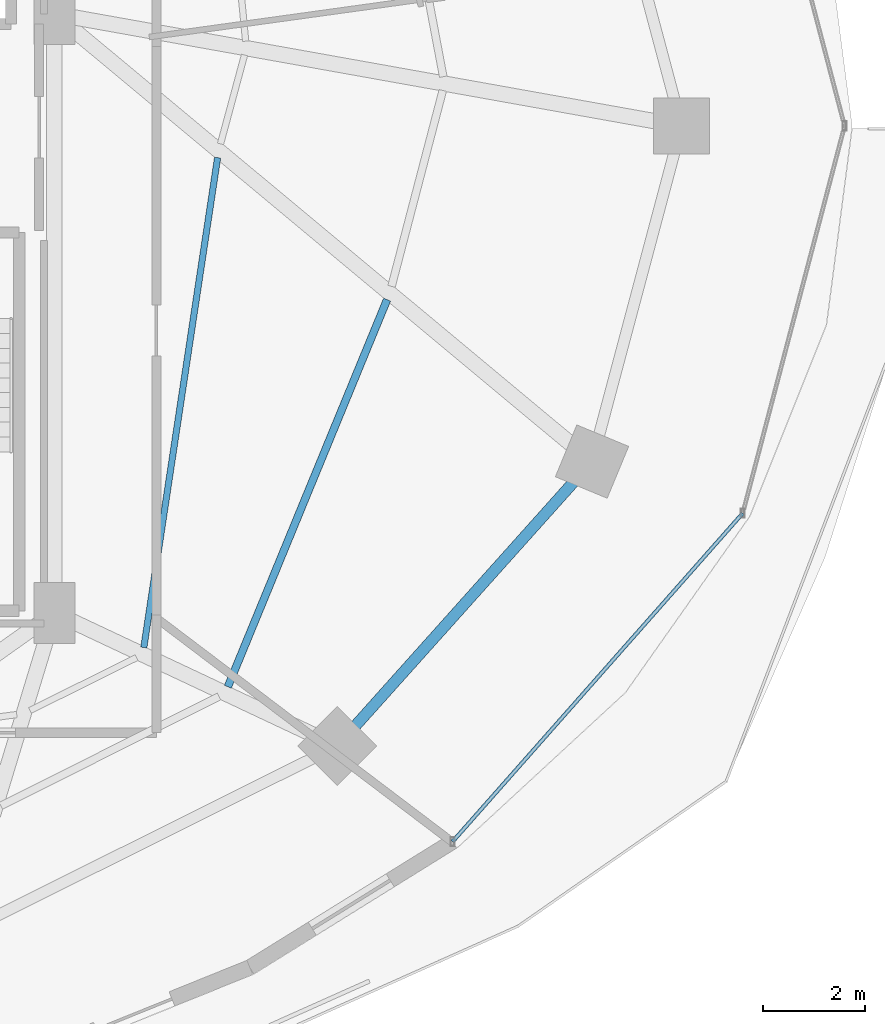
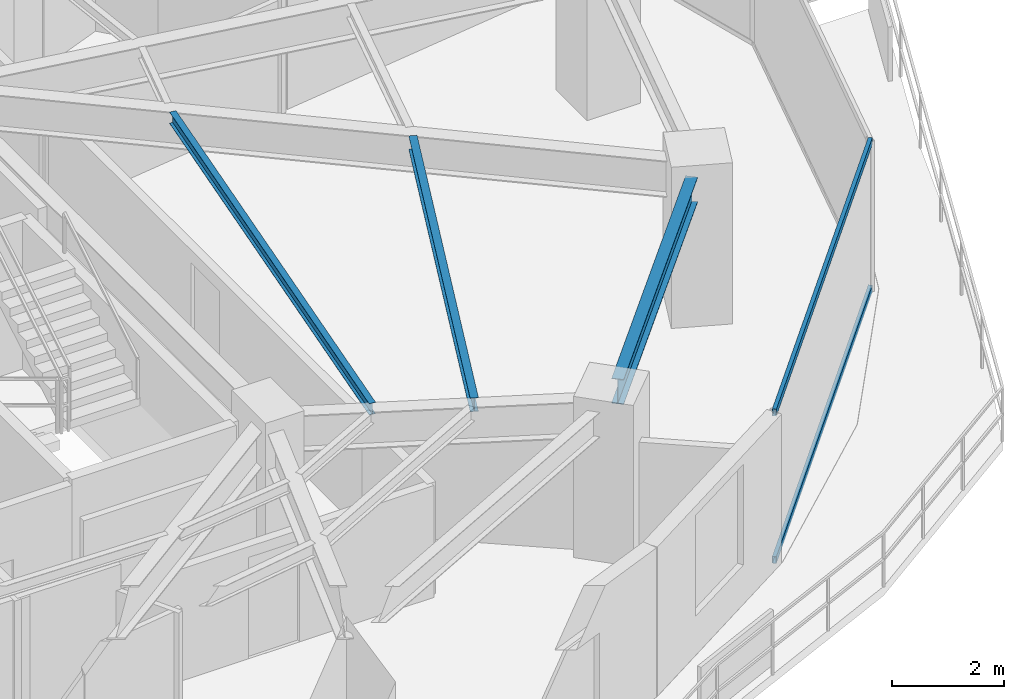
# One storey, part 12 of 30: 3 beams, 2 members, 1 element without a shape of its own.
"""IFC4 building model written with IfcOpenShell, lengths in metres."""

from ifc_helpers import new_model, si_unit, direction, frame, origin, origin_2d, place, context, subcontext, project, spatial, hollow_rectangle, i_section, extrude, material, material_profile, profile_set, type_object, element, aggregate, save


model = new_model("IFC4")

# Units and contexts
model_context = context("Model", 3, precision=1e-05, world=origin(), true_north=direction((0.0, 1.0)))
body_context = subcontext(model_context, "Body", "Model", "MODEL_VIEW")
ifc_project = project(units=[si_unit("LENGTHUNIT", "METRE"), si_unit("AREAUNIT", "SQUARE_METRE"), si_unit("VOLUMEUNIT", "CUBIC_METRE"), si_unit("PLANEANGLEUNIT", "RADIAN"), si_unit("MASSUNIT", "GRAM", prefix="KILO")], contexts=[model_context])

# Site, building, storey
site_placement = place(None, origin())
site = spatial("IfcSite", under=ifc_project, at=site_placement, CompositionType="ELEMENT")
building_placement = place(site_placement, origin())
building = spatial("IfcBuilding", under=site, at=building_placement, Name="Vorneva Point Tower", CompositionType="ELEMENT")
storey_placement = place(building_placement, frame((0.0, 0.0, 89.300048828125)))
storey = spatial("IfcBuildingStorey", under=building, at=storey_placement, Name="L23", CompositionType="ELEMENT", Elevation=89.300048828125)

# Beams
ifc_material_1 = material(Name="Steel S355", Category="steel")
ifc_material_profile_1 = material_profile(ifc_material_1, i_section(OverallWidth=0.1240234375, OverallDepth=0.248046875, WebThickness=0.0048828125, FlangeThickness=0.008056640625, at=origin_2d()), Name="25B1")
ifc_profile_set_1 = profile_set([ifc_material_profile_1], Name="Steel S355")
beam_type_1 = type_object("IfcBeamType", Name="BM-JST-25B1", PredefinedType="JOIST", material=ifc_profile_set_1)
beam_1_placement = place(storey_placement, frame((50.50439453125, 15.770263671875, 3.115966796875), z_axis=(0.148950979938, 0.988844581102, 0.0), x_axis=(-0.988844581102, 0.148950979938, 0.0)))
element("IfcBeam", 1, at=beam_1_placement, inside=storey, type_object=beam_type_1, Name="L23 Secondary Floor Beam 2.15", PredefinedType="JOIST", context=body_context, shape_type="SweptSolid", body=[
    extrude(i_section(OverallWidth=0.1240234375, OverallDepth=0.248046875, WebThickness=0.0048828125, FlangeThickness=0.008056640625, at=origin_2d()), origin(), (0.0, 0.0, 1.0), 9.718017578125),
])
ifc_material_profile_2 = material_profile(ifc_material_1, i_section(OverallWidth=0.14892578125, OverallDepth=0.298095703125, WebThickness=0.005615234375, FlangeThickness=0.008056640625, at=origin_2d()), Name="30B1")
ifc_profile_set_2 = profile_set([ifc_material_profile_2], Name="Steel S355")
beam_type_2 = type_object("IfcBeamType", Name="BM-JST-30B1", PredefinedType="JOIST", material=ifc_profile_set_2)
beam_2_placement = place(storey_placement, frame((52.15283203125, 15.00048828125, 3.091064453125), z_axis=(0.380401314352, 0.924821517937, 0.0), x_axis=(-0.924821517937, 0.380401314352, 0.0)))
element("IfcBeam", 2, at=beam_2_placement, inside=storey, type_object=beam_type_2, Name="L23 Secondary Floor Beam 1.15", PredefinedType="JOIST", context=body_context, shape_type="SweptSolid", body=[
    extrude(i_section(OverallWidth=0.14892578125, OverallDepth=0.298095703125, WebThickness=0.005615234375, FlangeThickness=0.008056640625, at=origin_2d()), origin(), (0.0, 0.0, 1.0), 8.21044921875),
])
ifc_material_profile_3 = material_profile(ifc_material_1, i_section(OverallWidth=0.219970703125, OverallDepth=0.54296875, WebThickness=0.009521484375, FlangeThickness=0.013427734375, at=origin_2d()), Name="55B1")
ifc_profile_set_3 = profile_set([ifc_material_profile_3], Name="Steel S355")
beam_type_3 = type_object("IfcBeamType", Name="BM-SPN-55B1", PredefinedType="SPANDREL", material=ifc_profile_set_3)
beam_3_placement = place(storey_placement, frame((54.65576171875, 14.236328125, 2.968505859375), z_axis=(0.667073815664, 0.744991627105, 0.0), x_axis=(-0.744991627105, 0.667073815664, 0.0)))
element("IfcBeam", 3, at=beam_3_placement, inside=storey, type_object=beam_type_3, Name="L23 Perimeter Spandrel Ring Beam 15", PredefinedType="SPANDREL", context=body_context, shape_type="SweptSolid", body=[
    extrude(i_section(OverallWidth=0.219970703125, OverallDepth=0.54296875, WebThickness=0.009521484375, FlangeThickness=0.013427734375, at=origin_2d()), origin(), (0.0, 0.0, 1.0), 6.420166015625),
])

# Curtain wall, members
ifc_material_2 = material(Name="Pale anodised aluminium", Category="aluminium")
curtain_wall_type = type_object("IfcCurtainWallType", Name="CW-HTL-SYS", PredefinedType="NOTDEFINED", material=ifc_material_2)
curtain_wall_placement = place(storey_placement, origin())
curtain_wall = element("IfcCurtainWall", 4, at=curtain_wall_placement, inside=storey, type_object=curtain_wall_type, Name="L23 Unitised Curtain Wall CW-L23-R01", PredefinedType="NOTDEFINED")
ifc_material_profile_4 = material_profile(ifc_material_2, hollow_rectangle(XDim=0.074951171875, YDim=0.14990234375, WallThickness=0.00390625, at=origin_2d()), Name="AL-TRN 150x75x4")
ifc_profile_set_4 = profile_set([ifc_material_profile_4], Name="Pale anodised aluminium")
member_type = type_object("IfcMemberType", Name="CW-TRN-150", PredefinedType="USERDEFINED", material=ifc_profile_set_4)
member_1_placement = place(storey_placement, frame((56.5615234375, 11.9638671875, 0.02001953125), z_axis=(0.662137326257, 0.74938251993, 0.0), x_axis=(-0.74938251993, 0.662137326257, 0.0)))
member_1 = element("IfcMember", 5, at=member_1_placement, type_object=member_type, Name="CW-L23-R01 Transom 01.1", ObjectType="TRANSOM", PredefinedType="USERDEFINED", context=body_context, shape_type="SweptSolid", body=[
    extrude(hollow_rectangle(XDim=0.074951171875, YDim=0.14990234375, WallThickness=0.00390625, at=origin_2d()), origin(), (0.0, 0.0, 1.0), 8.59375),
])
member_2_placement = place(storey_placement, frame((56.5615234375, 11.9638671875, 3.219970703125), z_axis=(0.662137326257, 0.74938251993, 0.0), x_axis=(-0.74938251993, 0.662137326257, 0.0)))
member_2 = element("IfcMember", 6, at=member_2_placement, type_object=member_type, Name="CW-L23-R01 Transom 01.2", ObjectType="TRANSOM", PredefinedType="USERDEFINED", context=body_context, shape_type="SweptSolid", body=[
    extrude(hollow_rectangle(XDim=0.074951171875, YDim=0.14990234375, WallThickness=0.00390625, at=origin_2d()), origin(), (0.0, 0.0, 1.0), 8.59375),
])
aggregate(curtain_wall, [member_1, member_2])

save(model, "model.ifc")
